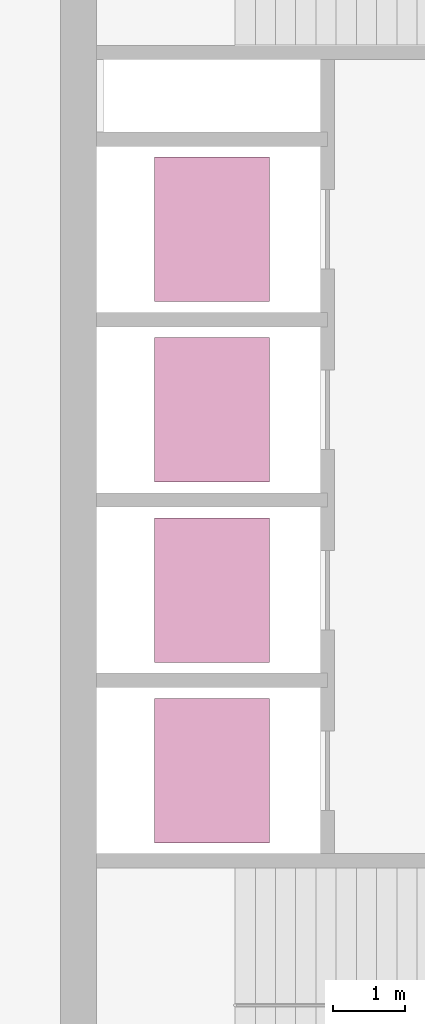
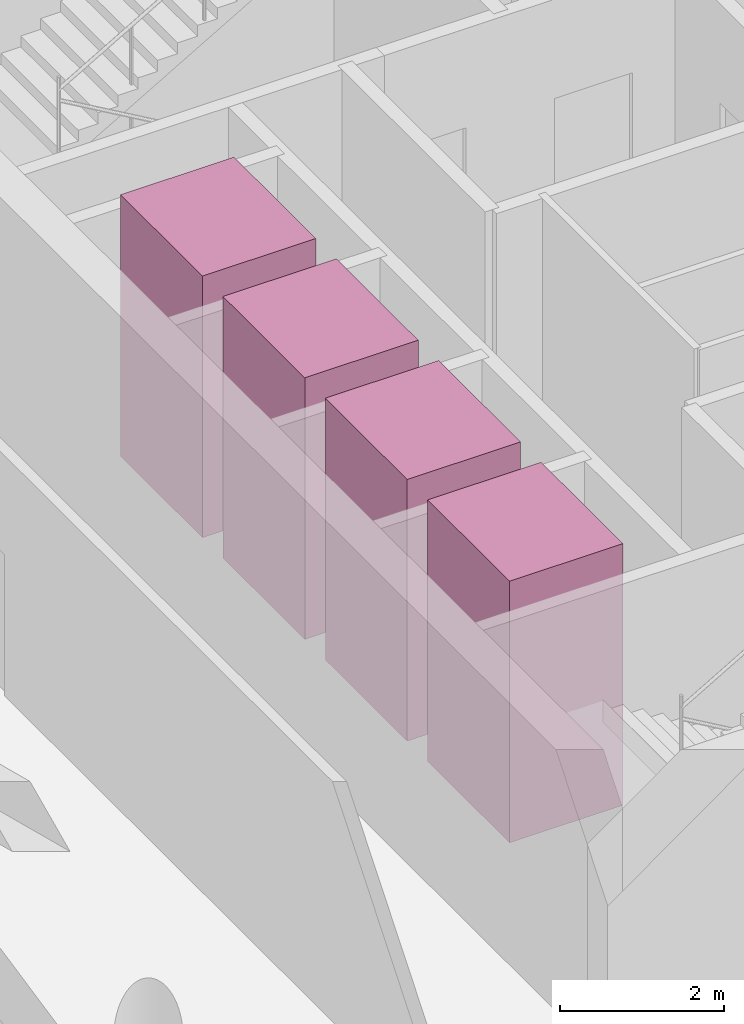
# One storey, part 9 of 9: 4 transport elements.
"""IFC4 building model written with IfcOpenShell, lengths in metres."""

from ifc_helpers import new_model, si_unit, direction, frame, origin, origin_2d, place, context, subcontext, project, spatial, rectangle, extrude, material, type_object, element, save


model = new_model("IFC4")

# Units and contexts
model_context = context("Model", 3, precision=1e-05, world=origin(), true_north=direction((0.0, 1.0)))
body_context = subcontext(model_context, "Body", "Model", "MODEL_VIEW")
ifc_project = project(units=[si_unit("LENGTHUNIT", "METRE"), si_unit("AREAUNIT", "SQUARE_METRE"), si_unit("VOLUMEUNIT", "CUBIC_METRE"), si_unit("PLANEANGLEUNIT", "RADIAN"), si_unit("MASSUNIT", "GRAM", prefix="KILO")], contexts=[model_context])

# Site, building, storey
site_placement = place(None, origin())
site = spatial("IfcSite", under=ifc_project, at=site_placement, CompositionType="ELEMENT")
building_placement = place(site_placement, origin())
building = spatial("IfcBuilding", under=site, at=building_placement, Name="Qaws Garden Tower", CompositionType="ELEMENT")
storey_placement = place(building_placement, frame((0.0, 0.0, 251.39990234375)))
storey = spatial("IfcBuildingStorey", under=building, at=storey_placement, Name="L60", CompositionType="ELEMENT", Elevation=251.39990234375)

# Transport elements
ifc_material = material(Name="Stainless steel 316", Category="steel")
transport_element_type = type_object("IfcTransportElementType", Name="Passenger lift car 2000x1600 1800 kg", PredefinedType="ELEVATOR", material=ifc_material)
for number, where, z_axis, x_axis, name in (
    (1, (10.10009765625, 13.64990234375, 0.000244140625), (0.0, 0.0, 1.0), (1.0, 0.0, 0.0), "HR1"),
    (2, (10.10009765625, 16.14990234375, 0.000244140625), (0.0, 0.0, 1.0), (1.0, 0.0, 0.0), "HR2"),
    (3, (10.10009765625, 18.64990234375, 0.000244140625), (0.0, 0.0, 1.0), (1.0, 0.0, 0.0), "HR3"),
    (4, (10.10009765625, 21.14990234375, 0.000244140625), (0.0, 0.0, 1.0), (1.0, 0.0, 0.0), "HR4"),
):
    element("IfcTransportElement", number, at=place(storey_placement, frame(where, z_axis=z_axis, x_axis=x_axis)), inside=storey, type_object=transport_element_type, Name=name, PredefinedType="ELEVATOR", context=body_context, shape_type="SweptSolid", body=[
        extrude(rectangle(XDim=1.60009765625, YDim=2.0, at=origin_2d()), origin(), (0.0, 0.0, 1.0), 3.89990234375),
    ])

save(model, "model.ifc")
